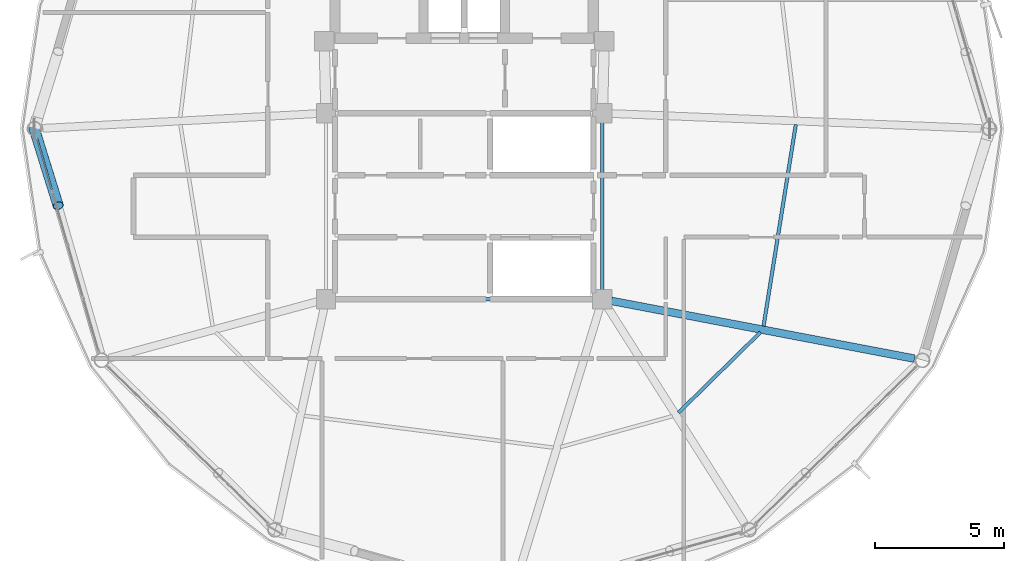
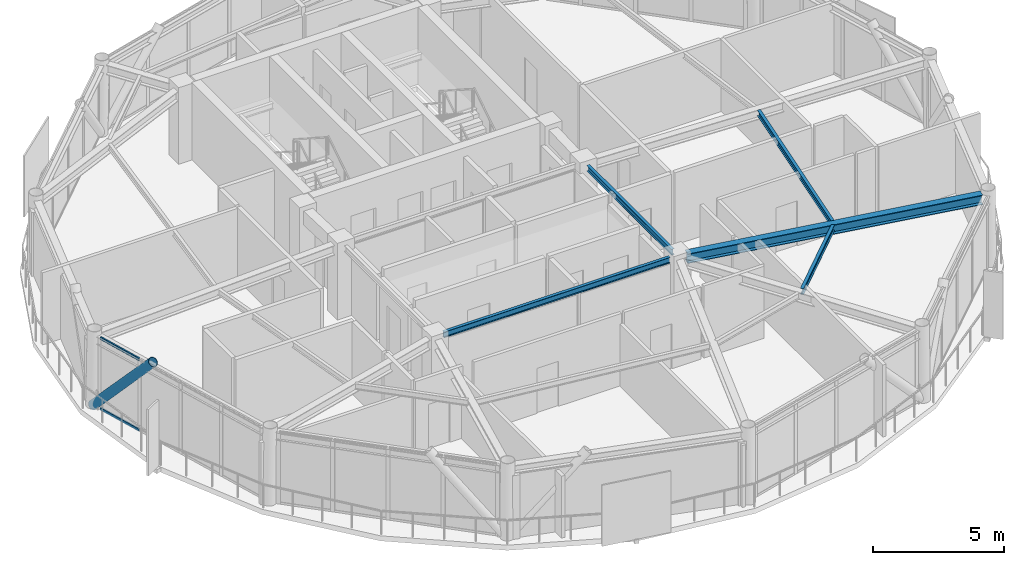
# One storey, part 10 of 27: 5 beams, 3 members, 1 element without a shape of its own.
"""IFC4 building model written with IfcOpenShell, lengths in metres."""

from ifc_helpers import new_model, si_unit, direction, frame, origin, origin_2d, place, context, subcontext, project, spatial, hollow_rectangle, hollow_circle, i_section, extrude, material, layer, layer_set, material_profile, profile_set, type_object, element, aggregate, save


model = new_model("IFC4")

# Units and contexts
model_context = context("Model", 3, precision=1e-05, world=origin(), true_north=direction((0.0, 1.0)))
body_context = subcontext(model_context, "Body", "Model", "MODEL_VIEW")
ifc_project = project(units=[si_unit("LENGTHUNIT", "METRE"), si_unit("AREAUNIT", "SQUARE_METRE"), si_unit("VOLUMEUNIT", "CUBIC_METRE"), si_unit("PLANEANGLEUNIT", "RADIAN"), si_unit("MASSUNIT", "GRAM", prefix="KILO")], contexts=[model_context])

# Site, building, storey
site_placement = place(None, origin())
site = spatial("IfcSite", under=ifc_project, at=site_placement, CompositionType="ELEMENT")
building_placement = place(site_placement, origin())
building = spatial("IfcBuilding", under=site, at=building_placement, Name="Varnakorn Sky Granary", CompositionType="ELEMENT")
storey_placement = place(building_placement, frame((0.0, 0.0, 249.0)))
storey = spatial("IfcBuildingStorey", under=building, at=storey_placement, Name="L63", CompositionType="ELEMENT", Elevation=249.0)

# Beams
ifc_material_1 = material(Name="Steel S355JR", Category="steel")
ifc_material_profile_1 = material_profile(ifc_material_1, i_section(OverallWidth=0.300048828125, OverallDepth=0.449951171875, WebThickness=0.013916015625, FlangeThickness=0.02587890625, at=origin_2d()), Name="HE 450 B")
ifc_profile_set_1 = profile_set([ifc_material_profile_1], Name="Steel S355JR")
beam_type_1 = type_object("IfcBeamType", Name="BM-RAD-Z5", PredefinedType="BEAM", material=ifc_profile_set_1)
beam_1_placement = place(storey_placement, frame((8.69873046875, -6.66650390625, 3.135009765625), z_axis=(0.982318701654, -0.187216367823, 0.0), x_axis=(0.187216367823, 0.982318701654, 0.0)))
element("IfcBeam", 1, at=beam_1_placement, inside=storey, type_object=beam_type_1, Name="Radial Floor Girder RG12 L63", PredefinedType="BEAM", context=body_context, shape_type="SweptSolid", body=[
    extrude(i_section(OverallWidth=0.300048828125, OverallDepth=0.449951171875, WebThickness=0.013916015625, FlangeThickness=0.02587890625, at=origin_2d()), origin(), (0.0, 0.0, 1.0), 11.94384765625),
])
ifc_material_profile_2 = material_profile(ifc_material_1, i_section(OverallWidth=0.135009765625, OverallDepth=0.27001953125, WebThickness=0.006591796875, FlangeThickness=0.01025390625, at=origin_2d()), Name="IPE 270")
ifc_profile_set_2 = profile_set([ifc_material_profile_2], Name="Steel S355JR")
beam_type_2 = type_object("IfcBeamType", Name="BM-SEC-Z5", PredefinedType="BEAM", material=ifc_profile_set_2)
beam_2_placement = place(storey_placement, frame((11.297119140625, -10.992919921875, 3.22509765625), z_axis=(0.713565969709, 0.700588043627, 0.0), x_axis=(-0.700588043627, 0.713565969709, 0.0)))
element("IfcBeam", 2, at=beam_2_placement, inside=storey, type_object=beam_type_2, Name="Secondary Floor Chord Beam MSB11 L63", PredefinedType="BEAM", context=body_context, shape_type="SweptSolid", body=[
    extrude(i_section(OverallWidth=0.135009765625, OverallDepth=0.27001953125, WebThickness=0.006591796875, FlangeThickness=0.01025390625, at=origin_2d()), origin(), (0.0, 0.0, 1.0), 4.439697265625),
])
beam_3_placement = place(storey_placement, frame((14.587158203125, -7.646240234375, 3.22509765625), z_axis=(0.158055541461, 0.987430223263, 0.0), x_axis=(-0.987430223263, 0.158055541461, 0.0)))
element("IfcBeam", 3, at=beam_3_placement, inside=storey, type_object=beam_type_2, Name="Secondary Floor Chord Beam MSB12 L63", PredefinedType="BEAM", context=body_context, shape_type="SweptSolid", body=[
    extrude(i_section(OverallWidth=0.135009765625, OverallDepth=0.27001953125, WebThickness=0.006591796875, FlangeThickness=0.01025390625, at=origin_2d()), origin(), (0.0, 0.0, 1.0), 7.905517578125),
])
beam_4_placement = place(storey_placement, frame((8.35009765625, 0.2451171875, 3.22509765625), z_axis=(0.0, -1.0, 0.0), x_axis=(1.0, 0.0, 0.0)))
element("IfcBeam", 4, at=beam_4_placement, inside=storey, type_object=beam_type_2, Name="Core Spine Framing Beam 4 L63", PredefinedType="BEAM", context=body_context, shape_type="SweptSolid", body=[
    extrude(i_section(OverallWidth=0.135009765625, OverallDepth=0.27001953125, WebThickness=0.006591796875, FlangeThickness=0.01025390625, at=origin_2d()), origin(), (0.0, 0.0, 1.0), 6.490234375),
])
beam_5_placement = place(storey_placement, frame((-1.9951171875, -6.60009765625, 3.22509765625), z_axis=(1.0, 0.0, 0.0), x_axis=(0.0, 1.0, 0.0)))
element("IfcBeam", 5, at=beam_5_placement, inside=storey, type_object=beam_type_2, Name="Core Spine Framing Beam 6 L63", PredefinedType="BEAM", context=body_context, shape_type="SweptSolid", body=[
    extrude(i_section(OverallWidth=0.135009765625, OverallDepth=0.27001953125, WebThickness=0.006591796875, FlangeThickness=0.01025390625, at=origin_2d()), origin(), (0.0, 0.0, 1.0), 9.990234375),
])

# Curtain wall, members
ifc_material_2 = material(Name="Anodised Bronze Aluminium Alloy 6063-T6", Category="aluminium")
ifc_layer = layer(ifc_material_2, 0.159912109375, Name="Anodised Bronze Aluminium Alloy 6063-T6")
ifc_layer_set = layer_set([ifc_layer], Name="Anodised Bronze Aluminium Alloy 6063-T6")
curtain_wall_type = type_object("IfcCurtainWallType", Name="CW-OFF-1", PredefinedType="USERDEFINED", material=ifc_layer_set)
curtain_wall_placement = place(storey_placement, origin())
curtain_wall = element("IfcCurtainWall", 6, at=curtain_wall_placement, inside=storey, type_object=curtain_wall_type, Name="Unitised Curtain Wall CW6 CW-L63-B07", ObjectType="CURTAIN WALL", PredefinedType="USERDEFINED")
ifc_material_profile_3 = material_profile(ifc_material_2, hollow_rectangle(XDim=0.06494140625, YDim=0.1201171875, WallThickness=0.00341796875, at=origin_2d()), Name="ALU TRAN 65x120")
ifc_profile_set_3 = profile_set([ifc_material_profile_3], Name="Anodised Bronze Aluminium Alloy 6063-T6")
member_type_1 = type_object("IfcMemberType", Name="CW-OFF-1-TRAN", PredefinedType="USERDEFINED", material=ifc_profile_set_3)
member_1_placement = place(storey_placement, frame((-12.958251953125, -2.3740234375, 0.032470703125), z_axis=(-0.277808552079, 0.960636460058, 0.0), x_axis=(-0.960636460058, -0.277808552079, 0.0)))
member_1 = element("IfcMember", 7, at=member_1_placement, type_object=member_type_1, Name="CW6 transom 4.1", ObjectType="TRANSOM", PredefinedType="USERDEFINED", context=body_context, shape_type="SweptSolid", body=[
    extrude(hollow_rectangle(XDim=0.06494140625, YDim=0.1201171875, WallThickness=0.00341796875, at=origin_2d()), origin(), (0.0, 0.0, 1.0), 2.06689453125),
])
member_2_placement = place(storey_placement, frame((-12.958251953125, -2.3740234375, 3.327392578125), z_axis=(-0.277808552079, 0.960636460058, 0.0), x_axis=(-0.960636460058, -0.277808552079, 0.0)))
member_2 = element("IfcMember", 8, at=member_2_placement, type_object=member_type_1, Name="CW6 transom 4.2", ObjectType="TRANSOM", PredefinedType="USERDEFINED", context=body_context, shape_type="SweptSolid", body=[
    extrude(hollow_rectangle(XDim=0.06494140625, YDim=0.1201171875, WallThickness=0.00341796875, at=origin_2d()), origin(), (0.0, 0.0, 1.0), 2.06689453125),
])
aggregate(curtain_wall, [member_1, member_2])

# Member
ifc_material_3 = material(Name="Steel S460M", Category="steel")
ifc_material_profile_4 = material_profile(ifc_material_3, hollow_circle(Radius=0.203125, WallThickness=0.01611328125, at=origin_2d()), Name="CHS 406.4x16")
ifc_profile_set_4 = profile_set([ifc_material_profile_4], Name="Steel S460M")
member_type_2 = type_object("IfcMemberType", Name="MB-DIAG-T4", PredefinedType="BRACE", material=ifc_profile_set_4)
member_3_placement = place(storey_placement, frame((-13.64501953125, 0.0, 0.0), z_axis=(0.198495078552, -0.636914373868, 0.74494280596), x_axis=(0.954710420924, 0.297536572844, 0.0)))
element("IfcMember", 9, at=member_3_placement, inside=storey, type_object=member_type_2, Name="Perimeter CHS Diagrid Brace DG07 L63", PredefinedType="BRACE", context=body_context, shape_type="SweptSolid", body=[
    extrude(hollow_circle(Radius=0.203125, WallThickness=0.01611328125, at=origin_2d()), origin(), (0.0, 0.0, 1.0), 4.684814453125),
])

save(model, "model.ifc")
